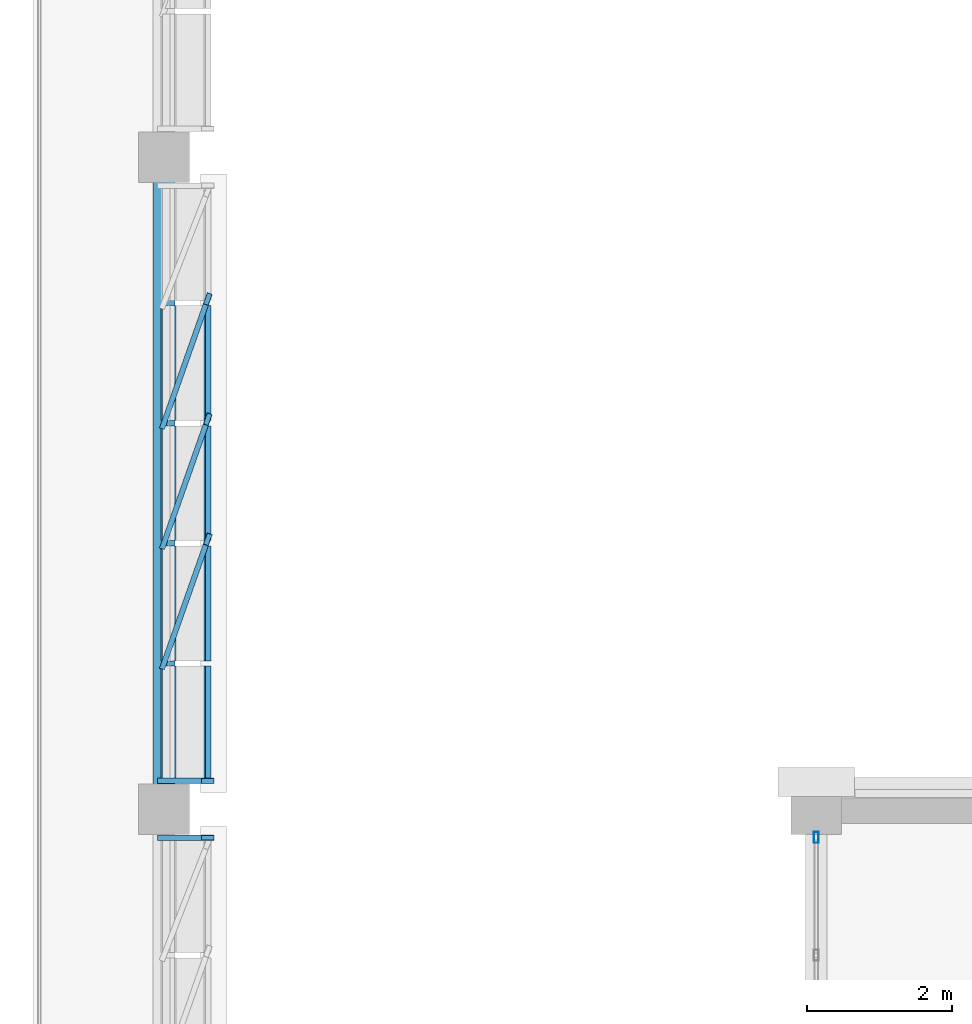
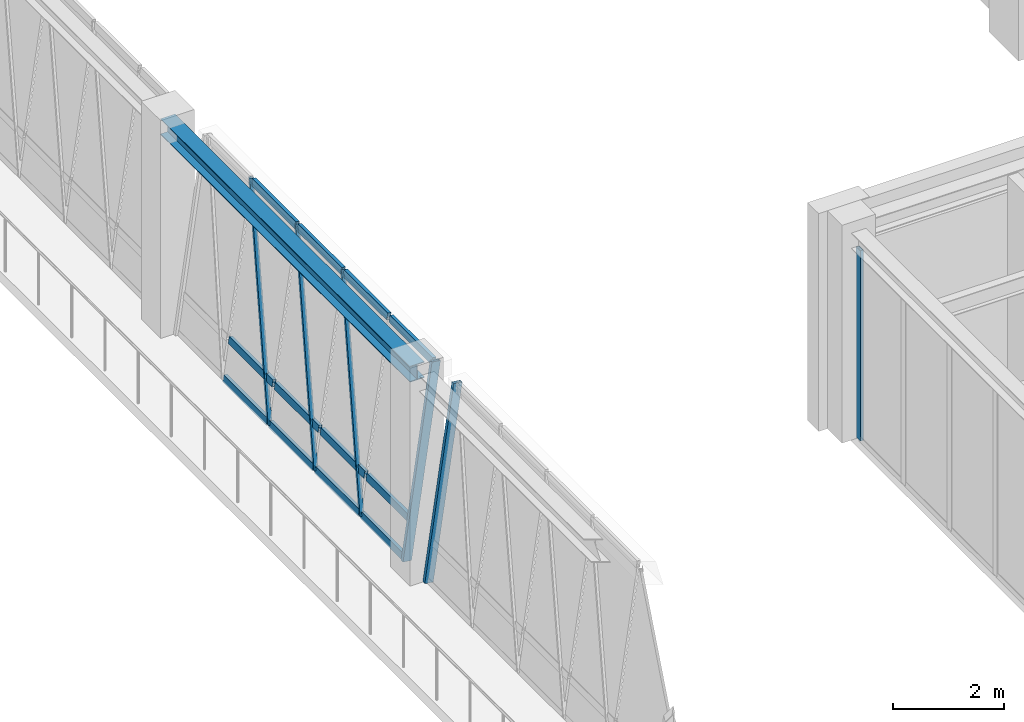
# One storey, part 58 of 92: 18 members, 1 beam, 3 elements without a shape of their own.
"""IFC4 building model written with IfcOpenShell, lengths in metres."""

from ifc_helpers import new_model, si_unit, direction, frame, origin, origin_2d, place, context, subcontext, project, spatial, hollow_rectangle, i_section, extrude, material, material_profile, profile_set, type_object, element, aggregate, save


model = new_model("IFC4")

# Units and contexts
model_context = context("Model", 3, precision=1e-05, world=origin(), true_north=direction((0.0, 1.0)))
body_context = subcontext(model_context, "Body", "Model", "MODEL_VIEW")
ifc_project = project(units=[si_unit("LENGTHUNIT", "METRE"), si_unit("AREAUNIT", "SQUARE_METRE"), si_unit("VOLUMEUNIT", "CUBIC_METRE"), si_unit("PLANEANGLEUNIT", "RADIAN"), si_unit("MASSUNIT", "GRAM", prefix="KILO")], contexts=[model_context])

# Site, building, storey
site_placement = place(None, origin())
site = spatial("IfcSite", under=ifc_project, at=site_placement, CompositionType="ELEMENT")
building_placement = place(site_placement, origin())
building = spatial("IfcBuilding", under=site, at=building_placement, Name="Lykobir Media Centre", CompositionType="ELEMENT")
storey_placement = place(building_placement, frame((0.0, 0.0, 5.39990234375)))
storey = spatial("IfcBuildingStorey", under=building, at=storey_placement, Name="L01", CompositionType="ELEMENT", Elevation=5.39990234375)

# Curtain wall, member
ifc_material_1 = material(Name="Anodized Aluminium AW-6060", Category="aluminium")
curtain_wall_type_1 = type_object("IfcCurtainWallType", Name="CW-BRIDGE", PredefinedType="NOTDEFINED", material=ifc_material_1)
curtain_wall_1_placement = place(storey_placement, origin())
curtain_wall_1 = element("IfcCurtainWall", 1, at=curtain_wall_1_placement, inside=storey, type_object=curtain_wall_type_1, Name="Curtain wall CW2-L01-0042", PredefinedType="NOTDEFINED")
ifc_material_profile_1 = material_profile(ifc_material_1, hollow_rectangle(XDim=0.06494140625, YDim=0.14990234375, WallThickness=0.00341796875, at=origin_2d()), Name="ALU MULLION 65x150")
ifc_profile_set_1 = profile_set([ifc_material_profile_1], Name="Anodized Aluminium AW-6060")
member_type_1 = type_object("IfcMemberType", Name="CWM-150", PredefinedType="MULLION", material=ifc_profile_set_1)
member_1_placement = place(storey_placement, frame((90.0, 71.612548828125, 0.0), z_axis=(0.0, 0.0, 1.0), x_axis=(-1.0, 0.0, 0.0)))
member_1 = element("IfcMember", 2, at=member_1_placement, type_object=member_type_1, Name="CW2-L01-0042 mullion 6", PredefinedType="MULLION", context=body_context, shape_type="SweptSolid", body=[
    extrude(hollow_rectangle(XDim=0.06494140625, YDim=0.14990234375, WallThickness=0.00341796875, at=origin_2d()), origin(), (0.0, 0.0, 1.0), 4.195068359375),
])
aggregate(curtain_wall_1, [member_1])

curtain_wall_type_2 = type_object("IfcCurtainWallType", Name="CW-V6-CR1", PredefinedType="NOTDEFINED", material=ifc_material_1)
curtain_wall_2_placement = place(storey_placement, origin())
curtain_wall_2 = element("IfcCurtainWall", 3, at=curtain_wall_2_placement, inside=storey, type_object=curtain_wall_type_2, Name="Curtain wall CW2-L01-0058", PredefinedType="NOTDEFINED")
ifc_material_profile_2 = material_profile(ifc_material_1, hollow_rectangle(XDim=0.074951171875, YDim=0.179931640625, WallThickness=0.00390625, at=origin_2d()), Name="ALU MULLION 75x180")
ifc_profile_set_2 = profile_set([ifc_material_profile_2], Name="Anodized Aluminium AW-6060")
member_type_2 = type_object("IfcMemberType", Name="CWM-180", PredefinedType="MULLION", material=ifc_profile_set_2)
member_2_placement = place(storey_placement, frame((81.0, 71.607421875, 0.0), z_axis=(0.142622832142, 0.0, 0.989777110137), x_axis=(0.0, -1.0, 0.0)))
member_2 = element("IfcMember", 4, at=member_2_placement, type_object=member_type_2, Name="CW2-L01-0058 mullion 6", PredefinedType="MULLION", context=body_context, shape_type="SweptSolid", body=[
    extrude(hollow_rectangle(XDim=0.074951171875, YDim=0.179931640625, WallThickness=0.00390625, at=origin_2d()), origin(), (0.0, 0.0, 1.0), 4.23828125),
])
aggregate(curtain_wall_2, [member_2])

# Curtain wall, members
curtain_wall_3_placement = place(storey_placement, origin())
curtain_wall_3 = element("IfcCurtainWall", 5, at=curtain_wall_3_placement, inside=storey, type_object=curtain_wall_type_2, Name="Curtain wall CW2-L01-0059", PredefinedType="NOTDEFINED")
member_3_placement = place(storey_placement, frame((81.0, 72.392578125, 0.0), z_axis=(0.142622832142, 0.0, 0.989777110137), x_axis=(0.0, -1.0, 0.0)))
member_3 = element("IfcMember", 6, at=member_3_placement, type_object=member_type_2, Name="CW2-L01-0059 mullion 1", PredefinedType="MULLION", context=body_context, shape_type="SweptSolid", body=[
    extrude(hollow_rectangle(XDim=0.074951171875, YDim=0.179931640625, WallThickness=0.00390625, at=origin_2d()), origin(), (0.0, 0.0, 1.0), 4.23828125),
])
member_4_placement = place(storey_placement, frame((81.0, 74.012939453125, 0.0), z_axis=(0.132237817099, 0.374602604658, 0.917706951217), x_axis=(0.942970475976, -0.332876375608, 0.0)))
member_4 = element("IfcMember", 7, at=member_4_placement, type_object=member_type_2, Name="CW2-L01-0059 mullion 2", PredefinedType="MULLION", context=body_context, shape_type="SweptSolid", body=[
    extrude(hollow_rectangle(XDim=0.074951171875, YDim=0.179931640625, WallThickness=0.00390625, at=origin_2d()), origin(), (0.0, 0.0, 1.0), 4.5712890625),
])
member_5_placement = place(storey_placement, frame((81.0, 75.6708984375, 0.0), z_axis=(0.132237817099, 0.374602604658, 0.917706951217), x_axis=(0.942970475976, -0.332876375608, 0.0)))
member_5 = element("IfcMember", 8, at=member_5_placement, type_object=member_type_2, Name="CW2-L01-0059 mullion 3", PredefinedType="MULLION", context=body_context, shape_type="SweptSolid", body=[
    extrude(hollow_rectangle(XDim=0.074951171875, YDim=0.179931640625, WallThickness=0.00390625, at=origin_2d()), origin(), (0.0, 0.0, 1.0), 4.5712890625),
])
member_6_placement = place(storey_placement, frame((81.0, 77.3291015625, 0.0), z_axis=(0.132237817099, 0.374602604658, 0.917706951217), x_axis=(0.942970475976, -0.332876375608, 0.0)))
member_6 = element("IfcMember", 9, at=member_6_placement, type_object=member_type_2, Name="CW2-L01-0059 mullion 4", PredefinedType="MULLION", context=body_context, shape_type="SweptSolid", body=[
    extrude(hollow_rectangle(XDim=0.074951171875, YDim=0.179931640625, WallThickness=0.00390625, at=origin_2d()), origin(), (0.0, 0.0, 1.0), 4.5712890625),
])
ifc_material_profile_3 = material_profile(ifc_material_1, hollow_rectangle(XDim=0.074951171875, YDim=0.14990234375, WallThickness=0.00341796875, at=origin_2d()), Name="ALU TRANSOM 75x150")
ifc_profile_set_3 = profile_set([ifc_material_profile_3], Name="Anodized Aluminium AW-6060")
member_type_3 = type_object("IfcMemberType", Name="CWT-150", PredefinedType="USERDEFINED", material=ifc_profile_set_3)
member_7_placement = place(storey_placement, frame((81.00537109375, 72.429931640625, 0.037109375), z_axis=(0.0, 1.0, 0.0), x_axis=(-0.989776230908, 0.0, 0.142628933706)))
member_7 = element("IfcMember", 10, at=member_7_placement, type_object=member_type_3, Name="CW2-L01-0059 transom 1.1", ObjectType="TRANSOM", PredefinedType="USERDEFINED", context=body_context, shape_type="SweptSolid", body=[
    extrude(hollow_rectangle(XDim=0.074951171875, YDim=0.14990234375, WallThickness=0.00341796875, at=origin_2d()), origin(), (0.0, 0.0, 1.0), 1.545654296875),
])
member_8_placement = place(storey_placement, frame((81.12109375, 72.429931640625, 0.84130859375), z_axis=(0.0, 1.0, 0.0), x_axis=(-0.989776230908, 0.0, 0.142628933706)))
member_8 = element("IfcMember", 11, at=member_8_placement, type_object=member_type_3, Name="CW2-L01-0059 transom 1.2", ObjectType="TRANSOM", PredefinedType="USERDEFINED", context=body_context, shape_type="SweptSolid", body=[
    extrude(hollow_rectangle(XDim=0.074951171875, YDim=0.14990234375, WallThickness=0.00341796875, at=origin_2d()), origin(), (0.0, 0.0, 1.0), 1.545654296875),
])
member_9_placement = place(storey_placement, frame((81.59912109375, 72.429931640625, 4.157958984375), z_axis=(0.0, 1.0, 0.0), x_axis=(-0.989776230908, 0.0, 0.142628933706)))
member_9 = element("IfcMember", 12, at=member_9_placement, type_object=member_type_3, Name="CW2-L01-0059 transom 1.3", ObjectType="TRANSOM", PredefinedType="USERDEFINED", context=body_context, shape_type="SweptSolid", body=[
    extrude(hollow_rectangle(XDim=0.074951171875, YDim=0.14990234375, WallThickness=0.00341796875, at=origin_2d()), origin(), (0.0, 0.0, 1.0), 1.545654296875),
])
member_10_placement = place(storey_placement, frame((81.00537109375, 74.050537109375, 0.037109375), z_axis=(0.0, 1.0, 0.0), x_axis=(-0.989776230908, 0.0, 0.142628933706)))
member_10 = element("IfcMember", 13, at=member_10_placement, type_object=member_type_3, Name="CW2-L01-0059 transom 2.1", ObjectType="TRANSOM", PredefinedType="USERDEFINED", context=body_context, shape_type="SweptSolid", body=[
    extrude(hollow_rectangle(XDim=0.074951171875, YDim=0.14990234375, WallThickness=0.00341796875, at=origin_2d()), origin(), (0.0, 0.0, 1.0), 1.5830078125),
])
member_11_placement = place(storey_placement, frame((81.12109375, 74.050537109375, 0.84130859375), z_axis=(0.0, 1.0, 0.0), x_axis=(-0.989776230908, 0.0, 0.142628933706)))
member_11 = element("IfcMember", 14, at=member_11_placement, type_object=member_type_3, Name="CW2-L01-0059 transom 2.2", ObjectType="TRANSOM", PredefinedType="USERDEFINED", context=body_context, shape_type="SweptSolid", body=[
    extrude(hollow_rectangle(XDim=0.074951171875, YDim=0.14990234375, WallThickness=0.00341796875, at=origin_2d()), origin(), (0.0, 0.0, 1.0), 1.5830078125),
])
member_12_placement = place(storey_placement, frame((81.59912109375, 74.050537109375, 4.157958984375), z_axis=(0.0, 1.0, 0.0), x_axis=(-0.989776230908, 0.0, 0.142628933706)))
member_12 = element("IfcMember", 15, at=member_12_placement, type_object=member_type_3, Name="CW2-L01-0059 transom 2.3", ObjectType="TRANSOM", PredefinedType="USERDEFINED", context=body_context, shape_type="SweptSolid", body=[
    extrude(hollow_rectangle(XDim=0.074951171875, YDim=0.14990234375, WallThickness=0.00341796875, at=origin_2d()), origin(), (0.0, 0.0, 1.0), 1.5830078125),
])
member_13_placement = place(storey_placement, frame((81.00537109375, 75.70849609375, 0.037109375), z_axis=(0.0, 1.0, 0.0), x_axis=(-0.989776230908, 0.0, 0.142628933706)))
member_13 = element("IfcMember", 16, at=member_13_placement, type_object=member_type_3, Name="CW2-L01-0059 transom 3.1", ObjectType="TRANSOM", PredefinedType="USERDEFINED", context=body_context, shape_type="SweptSolid", body=[
    extrude(hollow_rectangle(XDim=0.074951171875, YDim=0.14990234375, WallThickness=0.00341796875, at=origin_2d()), origin(), (0.0, 0.0, 1.0), 1.5830078125),
])
member_14_placement = place(storey_placement, frame((81.12109375, 75.70849609375, 0.84130859375), z_axis=(0.0, 1.0, 0.0), x_axis=(-0.989776230908, 0.0, 0.142628933706)))
member_14 = element("IfcMember", 17, at=member_14_placement, type_object=member_type_3, Name="CW2-L01-0059 transom 3.2", ObjectType="TRANSOM", PredefinedType="USERDEFINED", context=body_context, shape_type="SweptSolid", body=[
    extrude(hollow_rectangle(XDim=0.074951171875, YDim=0.14990234375, WallThickness=0.00341796875, at=origin_2d()), origin(), (0.0, 0.0, 1.0), 1.5830078125),
])
member_15_placement = place(storey_placement, frame((81.59912109375, 75.70849609375, 4.157958984375), z_axis=(0.0, 1.0, 0.0), x_axis=(-0.989776230908, 0.0, 0.142628933706)))
member_15 = element("IfcMember", 18, at=member_15_placement, type_object=member_type_3, Name="CW2-L01-0059 transom 3.3", ObjectType="TRANSOM", PredefinedType="USERDEFINED", context=body_context, shape_type="SweptSolid", body=[
    extrude(hollow_rectangle(XDim=0.074951171875, YDim=0.14990234375, WallThickness=0.00341796875, at=origin_2d()), origin(), (0.0, 0.0, 1.0), 1.5830078125),
])
member_16_placement = place(storey_placement, frame((81.00537109375, 77.366455078125, 0.037109375), z_axis=(0.0, 1.0, 0.0), x_axis=(-0.989776230908, 0.0, 0.142628933706)))
member_16 = element("IfcMember", 19, at=member_16_placement, type_object=member_type_3, Name="CW2-L01-0059 transom 4.1", ObjectType="TRANSOM", PredefinedType="USERDEFINED", context=body_context, shape_type="SweptSolid", body=[
    extrude(hollow_rectangle(XDim=0.074951171875, YDim=0.14990234375, WallThickness=0.00341796875, at=origin_2d()), origin(), (0.0, 0.0, 1.0), 1.5830078125),
])
member_17_placement = place(storey_placement, frame((81.12109375, 77.366455078125, 0.84130859375), z_axis=(0.0, 1.0, 0.0), x_axis=(-0.989776230908, 0.0, 0.142628933706)))
member_17 = element("IfcMember", 20, at=member_17_placement, type_object=member_type_3, Name="CW2-L01-0059 transom 4.2", ObjectType="TRANSOM", PredefinedType="USERDEFINED", context=body_context, shape_type="SweptSolid", body=[
    extrude(hollow_rectangle(XDim=0.074951171875, YDim=0.14990234375, WallThickness=0.00341796875, at=origin_2d()), origin(), (0.0, 0.0, 1.0), 1.5830078125),
])
member_18_placement = place(storey_placement, frame((81.59912109375, 77.366455078125, 4.157958984375), z_axis=(0.0, 1.0, 0.0), x_axis=(-0.989776230908, 0.0, 0.142628933706)))
member_18 = element("IfcMember", 21, at=member_18_placement, type_object=member_type_3, Name="CW2-L01-0059 transom 4.3", ObjectType="TRANSOM", PredefinedType="USERDEFINED", context=body_context, shape_type="SweptSolid", body=[
    extrude(hollow_rectangle(XDim=0.074951171875, YDim=0.14990234375, WallThickness=0.00341796875, at=origin_2d()), origin(), (0.0, 0.0, 1.0), 1.5830078125),
])
aggregate(curtain_wall_3, [member_3, member_4, member_5, member_6, member_7, member_8, member_9, member_10, member_11, member_12, member_13, member_14, member_15, member_16, member_17, member_18])

# Beam
ifc_material_2 = material(Name="Steel S355", Category="steel")
ifc_material_profile_4 = material_profile(ifc_material_2, i_section(OverallWidth=0.300048828125, OverallDepth=0.35009765625, WebThickness=0.010009765625, FlangeThickness=0.017578125, at=origin_2d()), Name="HEA 360")
ifc_profile_set_4 = profile_set([ifc_material_profile_4], Name="Steel S355")
beam_type = type_object("IfcBeamType", Name="SP-HEA360-E", PredefinedType="SPANDREL", material=ifc_profile_set_4)
beam_placement = place(storey_placement, frame((81.0, 72.0, 4.385009765625), z_axis=(0.0, 1.0, 0.0), x_axis=(-1.0, 0.0, 0.0)))
element("IfcBeam", 22, at=beam_placement, inside=storey, type_object=beam_type, Name="Beam BM-L01-0810-0720-0810-0810-978", PredefinedType="SPANDREL", context=body_context, shape_type="SweptSolid", body=[
    extrude(i_section(OverallWidth=0.300048828125, OverallDepth=0.35009765625, WebThickness=0.010009765625, FlangeThickness=0.017578125, at=origin_2d()), origin(), (0.0, 0.0, 1.0), 9.0),
])

save(model, "model.ifc")
